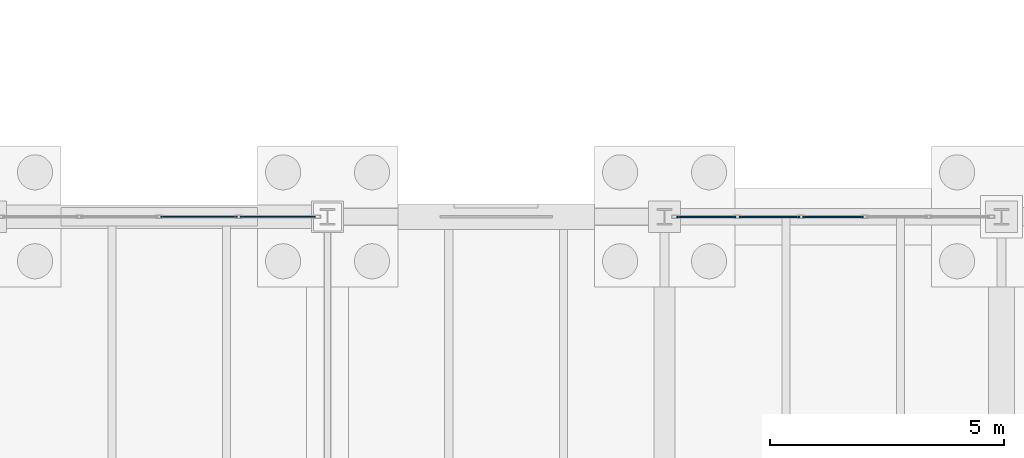
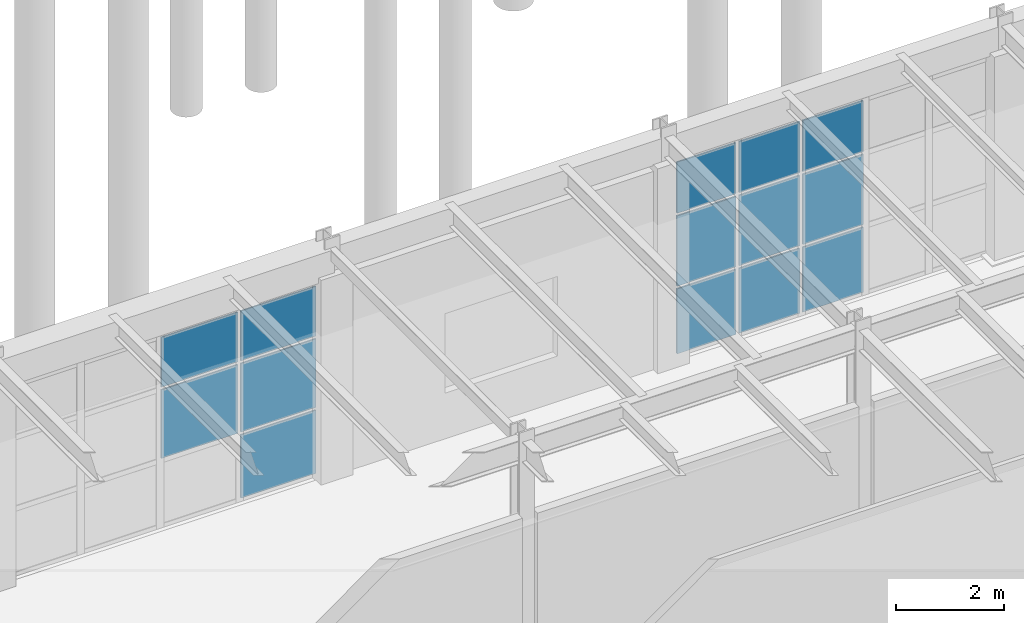
# One storey, part 236 of 293: 14 plates, 2 elements without a shape of their own.
"""IFC4 building model written with IfcOpenShell, lengths in metres."""

from ifc_helpers import new_model, si_unit, direction, frame, origin, origin_2d, place, context, subcontext, project, spatial, rectangle, extrude, material, layer, layer_set, type_object, element, aggregate, save


model = new_model("IFC4")

# Units and contexts
model_context = context("Model", 3, precision=1e-05, world=origin(), true_north=direction((0.0, 1.0)))
body_context = subcontext(model_context, "Body", "Model", "MODEL_VIEW")
ifc_project = project(units=[si_unit("LENGTHUNIT", "METRE"), si_unit("AREAUNIT", "SQUARE_METRE"), si_unit("VOLUMEUNIT", "CUBIC_METRE"), si_unit("PLANEANGLEUNIT", "RADIAN"), si_unit("MASSUNIT", "GRAM", prefix="KILO")], contexts=[model_context])

# Site, building, storey
site_placement = place(None, origin())
site = spatial("IfcSite", under=ifc_project, at=site_placement, CompositionType="ELEMENT")
building_placement = place(site_placement, origin())
building = spatial("IfcBuilding", under=site, at=building_placement, Name="Kemerveld Promenade Tramway Depot", CompositionType="ELEMENT")
storey_placement = place(building_placement, origin())
storey = spatial("IfcBuildingStorey", under=building, at=storey_placement, Name="L00", CompositionType="ELEMENT", Elevation=0.0)

# Curtain wall, plates
ifc_material_1 = material(Name="Bronze anodised aluminium and solar glass", Category="aluminium")
ifc_layer_1 = layer(ifc_material_1, 0.159912109375)
ifc_layer_set_1 = layer_set([ifc_layer_1], Name="CW-SYS-11")
curtain_wall_type_1 = type_object("IfcCurtainWallType", Name="CW-SYS-11", PredefinedType="USERDEFINED", material=ifc_layer_set_1)
curtain_wall_1_placement = place(storey_placement, origin())
curtain_wall_1 = element("IfcCurtainWall", 1, at=curtain_wall_1_placement, inside=storey, type_object=curtain_wall_type_1, Name="CW-L00-V4N-08", ObjectType="GLAZED_CURTAIN_WALL", PredefinedType="USERDEFINED")
ifc_material_2 = material(Name="Solar-control laminated double glazing", Category="glass")
ifc_layer_2 = layer(ifc_material_2, 0.028076171875)
ifc_layer_set_2 = layer_set([ifc_layer_2], Name="CW-PNL-03")
plate_type_1 = type_object("IfcPlateType", Name="CW-PNL-03", PredefinedType="CURTAIN_PANEL", material=ifc_layer_set_2)
plate_1_placement = place(storey_placement, frame((112.450927734375, 28.800048828125, 1.55419921875), z_axis=(0.0, 0.0, 1.0), x_axis=(1.0, 0.0, 0.0)))
plate_1 = element("IfcPlate", 2, at=plate_1_placement, type_object=plate_type_1, Name="CW11 panel 3.2", PredefinedType="CURTAIN_PANEL", context=body_context, shape_type="SweptSolid", body=[
    extrude(rectangle(XDim=1.636962890625, YDim=0.028076171875, at=origin_2d()), origin(), (0.0, 0.0, 1.0), 1.552001953125),
])
plate_2_placement = place(storey_placement, frame((112.450927734375, 28.800048828125, 3.166015625), z_axis=(0.0, 0.0, 1.0), x_axis=(1.0, 0.0, 0.0)))
plate_2 = element("IfcPlate", 3, at=plate_2_placement, type_object=plate_type_1, Name="CW11 panel 3.3", PredefinedType="CURTAIN_PANEL", context=body_context, shape_type="SweptSolid", body=[
    extrude(rectangle(XDim=1.636962890625, YDim=0.028076171875, at=origin_2d()), origin(), (0.0, 0.0, 1.0), 1.12890625),
])
plate_3_placement = place(storey_placement, frame((114.136474609375, 28.800048828125, 0.06005859375), z_axis=(0.0, 0.0, 1.0), x_axis=(1.0, 0.0, 0.0)))
plate_3 = element("IfcPlate", 4, at=plate_3_placement, type_object=plate_type_1, Name="CW11 panel 4.1", PredefinedType="CURTAIN_PANEL", context=body_context, shape_type="SweptSolid", body=[
    extrude(rectangle(XDim=1.604248046875, YDim=0.028076171875, at=origin_2d()), origin(), (0.0, 0.0, 1.0), 1.43408203125),
])
plate_4_placement = place(storey_placement, frame((114.136474609375, 28.800048828125, 1.55419921875), z_axis=(0.0, 0.0, 1.0), x_axis=(1.0, 0.0, 0.0)))
plate_4 = element("IfcPlate", 5, at=plate_4_placement, type_object=plate_type_1, Name="CW11 panel 4.2", PredefinedType="CURTAIN_PANEL", context=body_context, shape_type="SweptSolid", body=[
    extrude(rectangle(XDim=1.604248046875, YDim=0.028076171875, at=origin_2d()), origin(), (0.0, 0.0, 1.0), 1.552001953125),
])
plate_5_placement = place(storey_placement, frame((114.136474609375, 28.800048828125, 3.166015625), z_axis=(0.0, 0.0, 1.0), x_axis=(1.0, 0.0, 0.0)))
plate_5 = element("IfcPlate", 6, at=plate_5_placement, type_object=plate_type_1, Name="CW11 panel 4.3", PredefinedType="CURTAIN_PANEL", context=body_context, shape_type="SweptSolid", body=[
    extrude(rectangle(XDim=1.604248046875, YDim=0.028076171875, at=origin_2d()), origin(), (0.0, 0.0, 1.0), 1.12890625),
])
aggregate(curtain_wall_1, [plate_1, plate_2, plate_3, plate_4, plate_5])

ifc_layer_3 = layer(ifc_material_1, 0.159912109375)
ifc_layer_set_3 = layer_set([ifc_layer_3], Name="CW-SYS-13")
curtain_wall_type_2 = type_object("IfcCurtainWallType", Name="CW-SYS-13", PredefinedType="USERDEFINED", material=ifc_layer_set_3)
curtain_wall_2_placement = place(storey_placement, origin())
curtain_wall_2 = element("IfcCurtainWall", 7, at=curtain_wall_2_placement, inside=storey, type_object=curtain_wall_type_2, Name="CW-L00-V4N-10", ObjectType="GLAZED_CURTAIN_WALL", PredefinedType="USERDEFINED")
ifc_layer_4 = layer(ifc_material_2, 0.031982421875)
ifc_layer_set_4 = layer_set([ifc_layer_4], Name="CW-PNL-05")
plate_type_2 = type_object("IfcPlateType", Name="CW-PNL-05", PredefinedType="CURTAIN_PANEL", material=ifc_layer_set_4)
plate_6_placement = place(storey_placement, frame((123.293212890625, 28.800048828125, 0.06005859375), z_axis=(0.0, 0.0, 1.0), x_axis=(1.0, 0.0, 0.0)))
plate_6 = element("IfcPlate", 8, at=plate_6_placement, type_object=plate_type_2, Name="CW13 panel 1.1", PredefinedType="CURTAIN_PANEL", context=body_context, shape_type="SweptSolid", body=[
    extrude(rectangle(XDim=1.263916015625, YDim=0.031982421875, at=origin_2d()), origin(), (0.0, 0.0, 1.0), 1.468994140625),
])
plate_7_placement = place(storey_placement, frame((123.293212890625, 28.800048828125, 1.5888671875), z_axis=(0.0, 0.0, 1.0), x_axis=(1.0, 0.0, 0.0)))
plate_7 = element("IfcPlate", 9, at=plate_7_placement, type_object=plate_type_2, Name="CW13 panel 1.2", PredefinedType="CURTAIN_PANEL", context=body_context, shape_type="SweptSolid", body=[
    extrude(rectangle(XDim=1.263916015625, YDim=0.031982421875, at=origin_2d()), origin(), (0.0, 0.0, 1.0), 1.589111328125),
])
plate_8_placement = place(storey_placement, frame((123.293212890625, 28.800048828125, 3.23779296875), z_axis=(0.0, 0.0, 1.0), x_axis=(1.0, 0.0, 0.0)))
plate_8 = element("IfcPlate", 10, at=plate_8_placement, type_object=plate_type_2, Name="CW13 panel 1.3", PredefinedType="CURTAIN_PANEL", context=body_context, shape_type="SweptSolid", body=[
    extrude(rectangle(XDim=1.263916015625, YDim=0.031982421875, at=origin_2d()), origin(), (0.0, 0.0, 1.0), 1.156982421875),
])
plate_9_placement = place(storey_placement, frame((124.638671875, 28.800048828125, 0.06005859375), z_axis=(0.0, 0.0, 1.0), x_axis=(1.0, 0.0, 0.0)))
plate_9 = element("IfcPlate", 11, at=plate_9_placement, type_object=plate_type_2, Name="CW13 panel 2.1", PredefinedType="CURTAIN_PANEL", context=body_context, shape_type="SweptSolid", body=[
    extrude(rectangle(XDim=1.29638671875, YDim=0.031982421875, at=origin_2d()), origin(), (0.0, 0.0, 1.0), 1.468994140625),
])
plate_10_placement = place(storey_placement, frame((124.638671875, 28.800048828125, 1.5888671875), z_axis=(0.0, 0.0, 1.0), x_axis=(1.0, 0.0, 0.0)))
plate_10 = element("IfcPlate", 12, at=plate_10_placement, type_object=plate_type_2, Name="CW13 panel 2.2", PredefinedType="CURTAIN_PANEL", context=body_context, shape_type="SweptSolid", body=[
    extrude(rectangle(XDim=1.29638671875, YDim=0.031982421875, at=origin_2d()), origin(), (0.0, 0.0, 1.0), 1.589111328125),
])
plate_11_placement = place(storey_placement, frame((124.638671875, 28.800048828125, 3.23779296875), z_axis=(0.0, 0.0, 1.0), x_axis=(1.0, 0.0, 0.0)))
plate_11 = element("IfcPlate", 13, at=plate_11_placement, type_object=plate_type_2, Name="CW13 panel 2.3", PredefinedType="CURTAIN_PANEL", context=body_context, shape_type="SweptSolid", body=[
    extrude(rectangle(XDim=1.29638671875, YDim=0.031982421875, at=origin_2d()), origin(), (0.0, 0.0, 1.0), 1.156982421875),
])
plate_12_placement = place(storey_placement, frame((126.0, 28.800048828125, 0.06005859375), z_axis=(0.0, 0.0, 1.0), x_axis=(1.0, 0.0, 0.0)))
plate_12 = element("IfcPlate", 14, at=plate_12_placement, type_object=plate_type_2, Name="CW13 panel 3.1", PredefinedType="CURTAIN_PANEL", context=body_context, shape_type="SweptSolid", body=[
    extrude(rectangle(XDim=1.29638671875, YDim=0.031982421875, at=origin_2d()), origin(), (0.0, 0.0, 1.0), 1.468994140625),
])
plate_13_placement = place(storey_placement, frame((126.0, 28.800048828125, 1.5888671875), z_axis=(0.0, 0.0, 1.0), x_axis=(1.0, 0.0, 0.0)))
plate_13 = element("IfcPlate", 15, at=plate_13_placement, type_object=plate_type_2, Name="CW13 panel 3.2", PredefinedType="CURTAIN_PANEL", context=body_context, shape_type="SweptSolid", body=[
    extrude(rectangle(XDim=1.29638671875, YDim=0.031982421875, at=origin_2d()), origin(), (0.0, 0.0, 1.0), 1.589111328125),
])
plate_14_placement = place(storey_placement, frame((126.0, 28.800048828125, 3.23779296875), z_axis=(0.0, 0.0, 1.0), x_axis=(1.0, 0.0, 0.0)))
plate_14 = element("IfcPlate", 16, at=plate_14_placement, type_object=plate_type_2, Name="CW13 panel 3.3", PredefinedType="CURTAIN_PANEL", context=body_context, shape_type="SweptSolid", body=[
    extrude(rectangle(XDim=1.29638671875, YDim=0.031982421875, at=origin_2d()), origin(), (0.0, 0.0, 1.0), 1.156982421875),
])
aggregate(curtain_wall_2, [plate_6, plate_7, plate_8, plate_9, plate_10, plate_11, plate_12, plate_13, plate_14])

save(model, "model.ifc")
